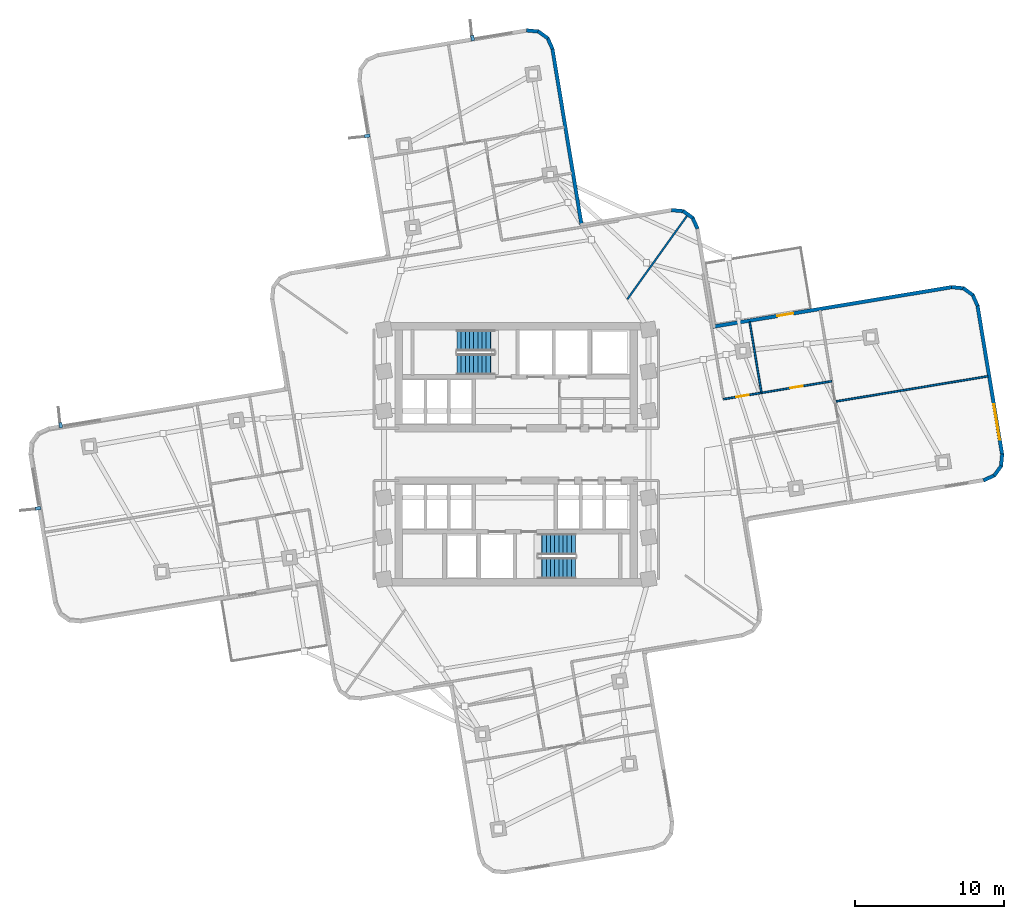
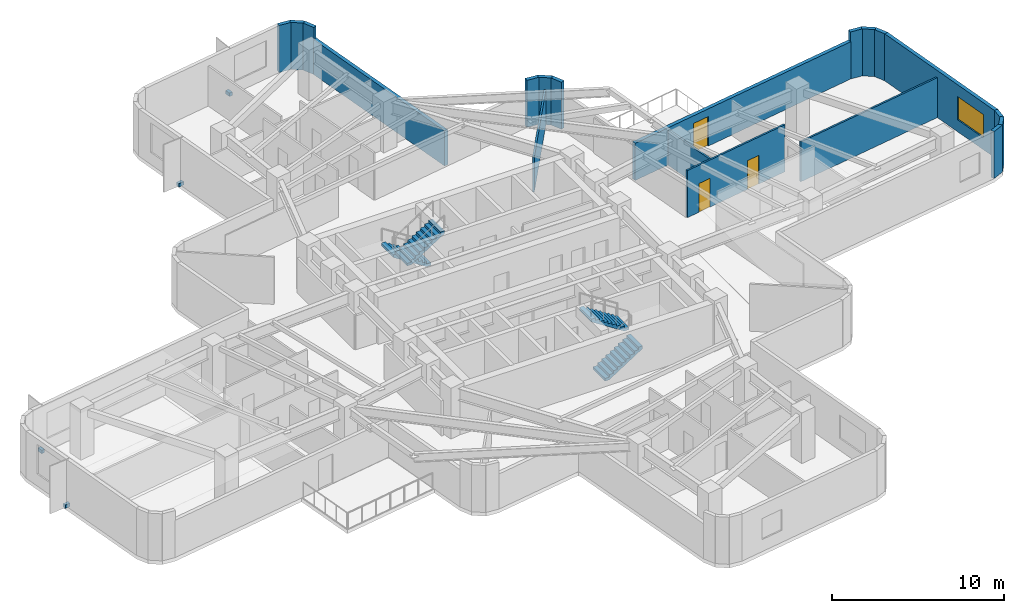
# One storey, part 6 of 9: 19 walls, 4 discrete accessories, 4 stair flights, 3 doors, 1 window, 4 openings, 2 elements without a shape of their own.
"""IFC4 building model written with IfcOpenShell, lengths in metres."""

from ifc_helpers import new_model, si_unit, direction, frame, frame_2d, origin, origin_2d, place, context, subcontext, project, spatial, polyline, rectangle, outline, extrude, material, layer, layer_set, type_object, element, fill, aggregate, save


model = new_model("IFC4")

# Units and contexts
model_context = context("Model", 3, precision=1e-05, world=origin(), true_north=direction((0.0, 1.0)))
body_context = subcontext(model_context, "Body", "Model", "MODEL_VIEW")
ifc_project = project(units=[si_unit("LENGTHUNIT", "METRE"), si_unit("AREAUNIT", "SQUARE_METRE"), si_unit("VOLUMEUNIT", "CUBIC_METRE"), si_unit("PLANEANGLEUNIT", "RADIAN"), si_unit("MASSUNIT", "GRAM", prefix="KILO")], contexts=[model_context])

# Site, building, storey
site_placement = place(None, origin())
site = spatial("IfcSite", under=ifc_project, at=site_placement, CompositionType="ELEMENT")
building_placement = place(site_placement, origin())
building = spatial("IfcBuilding", under=site, at=building_placement, Name="Solmarez Civic Tower", CompositionType="ELEMENT")
storey_placement = place(building_placement, frame((0.0, 0.0, 92.8798828125)))
storey = spatial("IfcBuildingStorey", under=building, at=storey_placement, Name="L24", CompositionType="ELEMENT", Elevation=92.8798828125)

# Walls
ifc_material_1 = material(Name="Precast concrete C40/50", Category="concrete")
ifc_layer_1 = layer(ifc_material_1, 0.239990234375)
ifc_layer_set_1 = layer_set([ifc_layer_1], Name="Precast concrete C40/50")
wall_type_1 = type_object("IfcWallType", Name="WALL-EXT-240", PredefinedType="SOLIDWALL", material=ifc_layer_set_1)
wall_1_placement = place(storey_placement, frame((0.674072265625, 28.376953125, 0.0), z_axis=(0.0, 0.0, 1.0), x_axis=(0.99537180181, -0.096098783346, 0.0)))
element("IfcWall", 1, at=wall_1_placement, inside=storey, type_object=wall_type_1, Name="L24 Exterior Precast Wall 25", PredefinedType="SOLIDWALL", context=body_context, shape_type="SweptSolid", body=[
    extrude(rectangle(XDim=0.830810546875, YDim=0.239990234375, at=frame_2d((0.41552734375, 0.0))), origin(), (0.0, 0.0, 1.0), 3.340087890625),
])
wall_2_placement = place(storey_placement, frame((1.4560546875, 28.31396484375, 0.0), z_axis=(0.0, 0.0, 1.0), x_axis=(0.812108665246, -0.583506226045, 0.0)))
element("IfcWall", 2, at=wall_2_placement, inside=storey, type_object=wall_type_1, Name="L24 Exterior Precast Wall 26", PredefinedType="SOLIDWALL", context=body_context, shape_type="SweptSolid", body=[
    extrude(rectangle(XDim=0.813720703125, YDim=0.239990234375, at=frame_2d((0.40673828125, 0.0))), origin(), (0.0, 0.0, 1.0), 3.340087890625),
])
wall_3_placement = place(storey_placement, frame((2.0869140625, 27.876953125, 0.0), z_axis=(0.0, 0.0, 1.0), x_axis=(0.412272558088, -0.91106055663, 0.0)))
element("IfcWall", 3, at=wall_3_placement, inside=storey, type_object=wall_type_1, Name="L24 Exterior Precast Wall 27", PredefinedType="SOLIDWALL", context=body_context, shape_type="SweptSolid", body=[
    extrude(rectangle(XDim=0.82958984375, YDim=0.239990234375, at=frame_2d((0.414794921875, 0.0))), origin(), (0.0, 0.0, 1.0), 3.340087890625),
])
wall_4_placement = place(storey_placement, frame((2.4150390625, 27.1689453125, 0.0), z_axis=(0.0, 0.0, 1.0), x_axis=(0.163307072567, -0.986575288587, 0.0)))
element("IfcWall", 4, at=wall_4_placement, inside=storey, type_object=wall_type_1, Name="L24 Exterior Precast Wall 28", PredefinedType="SOLIDWALL", context=body_context, shape_type="SweptSolid", body=[
    extrude(rectangle(XDim=12.074951171875, YDim=0.239990234375, at=frame_2d((6.03759765625, 0.0))), origin(), (0.0, 0.0, 1.0), 2.486083984375),
])
wall_5_placement = place(storey_placement, frame((10.37890625, 16.35107421875, 0.0), z_axis=(0.0, 0.0, 1.0), x_axis=(0.995335447313, -0.096474594184, 0.0)))
element("IfcWall", 5, at=wall_5_placement, inside=storey, type_object=wall_type_1, Name="L24 Exterior Precast Wall 32", PredefinedType="SOLIDWALL", context=body_context, shape_type="SweptSolid", body=[
    extrude(rectangle(XDim=0.830078125, YDim=0.239990234375, at=frame_2d((0.4150390625, 0.0))), origin(), (0.0, 0.0, 1.0), 3.340087890625),
])
wall_6_placement = place(storey_placement, frame((11.159912109375, 16.2880859375, 0.0), z_axis=(0.0, 0.0, 1.0), x_axis=(0.812068662375, -0.583561896965, 0.0)))
element("IfcWall", 6, at=wall_6_placement, inside=storey, type_object=wall_type_1, Name="L24 Exterior Precast Wall 33", PredefinedType="SOLIDWALL", context=body_context, shape_type="SweptSolid", body=[
    extrude(rectangle(XDim=0.814208984375, YDim=0.239990234375, at=frame_2d((0.4072265625, 0.0))), origin(), (0.0, 0.0, 1.0), 3.340087890625),
])
wall_7_placement = place(storey_placement, frame((11.791015625, 15.85107421875, 0.0), z_axis=(0.0, 0.0, 1.0), x_axis=(0.412696106872, -0.910868773958, 0.0)))
element("IfcWall", 7, at=wall_7_placement, inside=storey, type_object=wall_type_1, Name="L24 Exterior Precast Wall 34", PredefinedType="SOLIDWALL", context=body_context, shape_type="SweptSolid", body=[
    extrude(rectangle(XDim=0.8310546875, YDim=0.239990234375, at=frame_2d((0.41552734375, 0.0))), origin(), (0.0, 0.0, 1.0), 3.340087890625),
])

# Wall, opening, door
wall_8_placement = place(storey_placement, frame((13.114990234375, 8.537109375, 0.0), z_axis=(0.0, 0.0, 1.0), x_axis=(0.986576548161, 0.163299463007, 0.0)))
wall_8 = element("IfcWall", 8, at=wall_8_placement, inside=storey, type_object=wall_type_1, Name="L24 Exterior Precast Wall 38", PredefinedType="SOLIDWALL", context=body_context, shape_type="SweptSolid", body=[
    extrude(rectangle(XDim=16.276611328125, YDim=0.239990234375, at=frame_2d((8.13818359375, 0.0))), origin(), (0.0, 0.0, 1.0), 2.64404296875),
])
opening_1_placement = place(wall_8_placement, frame((4.39990234375, 0.0, 0.0)))
opening_1 = element("IfcOpeningElement", 9, at=opening_1_placement, cuts=wall_8, Name="Opening D-06", PredefinedType="OPENING", context=body_context, shape_type="SweptSolid", body=[
    extrude(rectangle(XDim=1.10009765625, YDim=2.10009765625, at=frame_2d((0.550048828125, 1.050048828125))), frame((0.0, 0.1298828125, 0.0), z_axis=(0.0, -1.0, 0.0), x_axis=(1.0, 0.0, 0.0)), (0.0, 0.0, 1.0), 0.260009765625),
])
ifc_material_2 = material(Name="Bronze Anodised Aluminium Glazed Terrace Door", Category="aluminium")
door_type_1 = type_object("IfcDoorType", Name="DOOR-TERR-1100", OperationType="NOTDEFINED", PredefinedType="DOOR", material=ifc_material_2)
door_1_placement = place(opening_1_placement, origin())
door_1 = element("IfcDoor", 10, at=door_1_placement, inside=storey, type_object=door_type_1, Name="L24 Outdoor Terrace Glazed Door", OperationType="SINGLE_SWING_RIGHT", OverallHeight=2.10009765625, OverallWidth=1.10009765625, PredefinedType="DOOR", context=body_context, shape_type="SweptSolid", body=[
    extrude(rectangle(XDim=1.10009765625, YDim=2.10009765625, at=frame_2d((0.550048828125, 1.050048828125))), frame((0.0, 0.02490234375, 0.0), z_axis=(0.0, -1.0, 0.0), x_axis=(1.0, 0.0, 0.0)), (0.0, 0.0, 1.0), 0.050048828125),
])
fill(opening_1, door_1)

# Walls
wall_9_placement = place(storey_placement, frame((29.123046875, 11.193115234375, 0.0), z_axis=(0.0, 0.0, 1.0), x_axis=(0.995332708541, -0.096502846113, 0.0)))
element("IfcWall", 11, at=wall_9_placement, inside=storey, type_object=wall_type_1, Name="L24 Exterior Precast Wall 39", PredefinedType="SOLIDWALL", context=body_context, shape_type="SweptSolid", body=[
    extrude(rectangle(XDim=0.829833984375, YDim=0.239990234375, at=frame_2d((0.4150390625, 0.0))), origin(), (0.0, 0.0, 1.0), 3.340087890625),
])
wall_10_placement = place(storey_placement, frame((29.904052734375, 11.1298828125, 0.0), z_axis=(0.0, 0.0, 1.0), x_axis=(0.812516648433, -0.582937986427, 0.0)))
element("IfcWall", 12, at=wall_10_placement, inside=storey, type_object=wall_type_1, Name="L24 Exterior Precast Wall 40", PredefinedType="SOLIDWALL", context=body_context, shape_type="SweptSolid", body=[
    extrude(rectangle(XDim=0.814697265625, YDim=0.239990234375, at=frame_2d((0.4072265625, 0.0))), origin(), (0.0, 0.0, 1.0), 3.340087890625),
])
wall_11_placement = place(storey_placement, frame((30.535888671875, 10.693115234375, 0.0), z_axis=(0.0, 0.0, 1.0), x_axis=(0.411720575173, -0.911310138196, 0.0)))
element("IfcWall", 13, at=wall_11_placement, inside=storey, type_object=wall_type_1, Name="L24 Exterior Precast Wall 41", PredefinedType="SOLIDWALL", context=body_context, shape_type="SweptSolid", body=[
    extrude(rectangle(XDim=0.830810546875, YDim=0.239990234375, at=frame_2d((0.41552734375, 0.0))), origin(), (0.0, 0.0, 1.0), 3.340087890625),
])

# Wall, opening, window
wall_12_placement = place(storey_placement, frame((30.864013671875, 9.98388671875, 0.0), z_axis=(0.0, 0.0, 1.0), x_axis=(0.163307635867, -0.986575195344, 0.0)))
wall_12 = element("IfcWall", 14, at=wall_12_placement, inside=storey, type_object=wall_type_1, Name="L24 Exterior Precast Wall 42", PredefinedType="SOLIDWALL", context=body_context, shape_type="SweptSolid", body=[
    extrude(rectangle(XDim=10.158447265625, YDim=0.239990234375, at=frame_2d((5.0791015625, 0.0))), origin(), (0.0, 0.0, 1.0), 3.340087890625),
])
opening_2_placement = place(wall_12_placement, frame((6.72412109375, 0.0, 0.85009765625)))
opening_2 = element("IfcOpeningElement", 15, at=opening_2_placement, cuts=wall_12, Name="Opening W-10", PredefinedType="OPENING", context=body_context, shape_type="SweptSolid", body=[
    extrude(rectangle(XDim=2.39990234375, YDim=1.64990234375, at=frame_2d((1.199951171875, 0.824951171875))), frame((0.0, 0.1298828125, 0.0), z_axis=(0.0, -1.0, 0.0), x_axis=(1.0, 0.0, 0.0)), (0.0, 0.0, 1.0), 0.260009765625),
])
ifc_material_3 = material(Name="Solar Control Bronze-Tinted Insulating Glass", Category="glass")
window_type = type_object("IfcWindowType", Name="WIN-2400X1650", PartitioningType="SINGLE_PANEL", PredefinedType="WINDOW", material=ifc_material_3)
window_placement = place(opening_2_placement, origin())
window = element("IfcWindow", 16, at=window_placement, inside=storey, type_object=window_type, Name="L24 Exterior Facade Window 42", OverallHeight=1.64990234375, OverallWidth=2.39990234375, PartitioningType="SINGLE_PANEL", PredefinedType="WINDOW", context=body_context, shape_type="SweptSolid", body=[
    extrude(rectangle(XDim=2.39990234375, YDim=1.64990234375, at=frame_2d((1.199951171875, 0.824951171875))), frame((0.0, 0.030029296875, 0.0), z_axis=(0.0, -1.0, 0.0), x_axis=(1.0, 0.0, 0.0)), (0.0, 0.0, 1.0), 0.06005859375),
])
fill(opening_2, window)

# Walls
wall_13_placement = place(storey_placement, frame((32.52099609375, 0.011962890625, 0.0), z_axis=(0.0, 0.0, 1.0), x_axis=(-0.096389937095, -0.995343649212, 0.0)))
element("IfcWall", 17, at=wall_13_placement, inside=storey, type_object=wall_type_1, Name="L24 Exterior Precast Wall 43", PredefinedType="SOLIDWALL", context=body_context, shape_type="SweptSolid", body=[
    extrude(rectangle(XDim=0.830810546875, YDim=0.239990234375, at=frame_2d((0.41552734375, 0.0))), origin(), (0.0, 0.0, 1.0), 3.340087890625),
])
wall_14_placement = place(storey_placement, frame((32.4580078125, -0.77001953125, 0.0), z_axis=(0.0, 0.0, 1.0), x_axis=(-0.583704032354, -0.811966503382, 0.0)))
element("IfcWall", 18, at=wall_14_placement, inside=storey, type_object=wall_type_1, Name="L24 Exterior Precast Wall 44", PredefinedType="SOLIDWALL", context=body_context, shape_type="SweptSolid", body=[
    extrude(rectangle(XDim=0.81396484375, YDim=0.239990234375, at=frame_2d((0.406982421875, 0.0))), origin(), (0.0, 0.0, 1.0), 3.340087890625),
])
wall_15_placement = place(storey_placement, frame((32.02099609375, -1.40087890625, 0.0), z_axis=(0.0, 0.0, 1.0), x_axis=(-0.911310138196, -0.411720575173, 0.0)))
element("IfcWall", 19, at=wall_15_placement, inside=storey, type_object=wall_type_1, Name="L24 Exterior Precast Wall 45", PredefinedType="SOLIDWALL", context=body_context, shape_type="SweptSolid", body=[
    extrude(rectangle(XDim=0.830810546875, YDim=0.239990234375, at=frame_2d((0.41552734375, 0.0))), origin(), (0.0, 0.0, 1.0), 3.340087890625),
])
ifc_material_4 = material(Name="Gypsum Board Acoustic Steel-Stud Partition", Category="steel")
ifc_layer_2 = layer(ifc_material_4, 0.1201171875)
ifc_layer_set_2 = layer_set([ifc_layer_2], Name="Gypsum Board Acoustic Steel-Stud Partition")
wall_type_2 = type_object("IfcWallType", Name="WALL-INT-PART-120", PredefinedType="PARTITIONING", material=ifc_layer_set_2)
wall_16_placement = place(storey_placement, frame((7.430908203125, 10.3798828125, 0.0), z_axis=(0.0, 0.0, 1.0), x_axis=(0.582126278944, 0.813098392178, 0.0)))
element("IfcWall", 20, at=wall_16_placement, inside=storey, type_object=wall_type_2, Name="L24 Interior Partition PT-L24-QDIV-1", PredefinedType="PARTITIONING", context=body_context, shape_type="SweptSolid", body=[
    extrude(rectangle(XDim=6.888671875, YDim=0.1201171875, at=frame_2d((3.4443359375, 0.0))), origin(), (0.0, 0.0, 1.0), 2.486083984375),
])
wall_17_placement = place(storey_placement, frame((16.405029296875, 4.135009765625, 0.0), z_axis=(0.0, 0.0, 1.0), x_axis=(-0.163276056047, 0.986580422227, 0.0)))
element("IfcWall", 21, at=wall_17_placement, inside=storey, type_object=wall_type_2, Name="L24 Interior Partition PT-L24-E-LM", PredefinedType="PARTITIONING", context=body_context, shape_type="SweptSolid", body=[
    extrude(rectangle(XDim=4.79541015625, YDim=0.1201171875, at=frame_2d((2.397705078125, 0.0))), origin(), (0.0, 0.0, 1.0), 2.486083984375),
])

# Wall, openings, doors
wall_18_placement = place(storey_placement, frame((21.114013671875, 4.89404296875, 0.0), z_axis=(0.0, 0.0, 1.0), x_axis=(-0.986566884893, -0.163357833093, 0.0)))
wall_18 = element("IfcWall", 22, at=wall_18_placement, inside=storey, type_object=wall_type_2, Name="L24 Interior Partition PT-L24-E-SL", PredefinedType="PARTITIONING", context=body_context, shape_type="SweptSolid", body=[
    extrude(rectangle(XDim=7.339599609375, YDim=0.1201171875, at=frame_2d((3.669921875, 0.0))), origin(), (0.0, 0.0, 1.0), 3.340087890625),
])
opening_3_placement = place(wall_18_placement, frame((5.625, 0.0, 0.0)))
opening_3 = element("IfcOpeningElement", 23, at=opening_3_placement, cuts=wall_18, Name="Opening D-14", PredefinedType="OPENING", context=body_context, shape_type="SweptSolid", body=[
    extrude(rectangle(XDim=0.860107421875, YDim=2.0400390625, at=frame_2d((0.43017578125, 1.02001953125))), frame((0.0, 0.070068359375, 0.0), z_axis=(0.0, -1.0, 0.0), x_axis=(1.0, 0.0, 0.0)), (0.0, 0.0, 1.0), 0.14013671875),
])
opening_4_placement = place(wall_18_placement, frame((1.955078125, 0.0, 0.0)))
opening_4 = element("IfcOpeningElement", 24, at=opening_4_placement, cuts=wall_18, Name="Opening D-14", PredefinedType="OPENING", context=body_context, shape_type="SweptSolid", body=[
    extrude(rectangle(XDim=0.860107421875, YDim=2.0400390625, at=frame_2d((0.43017578125, 1.02001953125))), frame((0.0, 0.070068359375, 0.0), z_axis=(0.0, -1.0, 0.0), x_axis=(1.0, 0.0, 0.0)), (0.0, 0.0, 1.0), 0.14013671875),
])
ifc_material_5 = material(Name="Timber Storage and Pantry Door", Category="wood")
door_type_2 = type_object("IfcDoorType", Name="DOOR-INT-850", OperationType="NOTDEFINED", PredefinedType="DOOR", material=ifc_material_5)
door_2_placement = place(opening_3_placement, origin())
door_2 = element("IfcDoor", 25, at=door_2_placement, inside=storey, type_object=door_type_2, Name="L24 Public Exhibition Library First East Door", OperationType="SINGLE_SWING_LEFT", OverallHeight=2.0400390625, OverallWidth=0.860107421875, PredefinedType="DOOR", context=body_context, shape_type="SweptSolid", body=[
    extrude(rectangle(XDim=0.860107421875, YDim=2.0400390625, at=frame_2d((0.43017578125, 1.02001953125))), frame((0.0, 0.02490234375, 0.0), z_axis=(0.0, -1.0, 0.0), x_axis=(1.0, 0.0, 0.0)), (0.0, 0.0, 1.0), 0.050048828125),
])
fill(opening_3, door_2)
door_3_placement = place(opening_4_placement, origin())
door_3 = element("IfcDoor", 26, at=door_3_placement, inside=storey, type_object=door_type_2, Name="L24 Civic Lecture Classroom Second East Door", OperationType="SINGLE_SWING_RIGHT", OverallHeight=2.0400390625, OverallWidth=0.860107421875, PredefinedType="DOOR", context=body_context, shape_type="SweptSolid", body=[
    extrude(rectangle(XDim=0.860107421875, YDim=2.0400390625, at=frame_2d((0.43017578125, 1.02001953125))), frame((0.0, 0.02490234375, 0.0), z_axis=(0.0, -1.0, 0.0), x_axis=(1.0, 0.0, 0.0)), (0.0, 0.0, 1.0), 0.050048828125),
])
fill(opening_4, door_3)

# Wall
wall_19_placement = place(storey_placement, frame((21.39892578125, 3.54296875, 0.0), z_axis=(0.0, 0.0, 1.0), x_axis=(0.986570089658, 0.16333847738, 0.0)))
element("IfcWall", 27, at=wall_19_placement, inside=storey, type_object=wall_type_2, Name="L24 Interior Partition PT-L24-E-TM", PredefinedType="PARTITIONING", context=body_context, shape_type="SweptSolid", body=[
    extrude(rectangle(XDim=10.304443359375, YDim=0.1201171875, at=frame_2d((5.15234375, 0.0))), origin(), (0.0, 0.0, 1.0), 2.83203125),
])

# Stair, stair flights
ifc_material_6 = material(Name="Concrete C50/60", Category="concrete")
stair_type = type_object("IfcStairType", Name="STAIR-DOGLEG-140W-20R-1800", PredefinedType="HALF_TURN_STAIR", material=ifc_material_6)
stair_1_placement = place(storey_placement, origin())
stair_1 = element("IfcStair", 28, at=stair_1_placement, inside=storey, type_object=stair_type, Name="L24 North Core Protected Exit Stair ST-1", PredefinedType="HALF_TURN_STAIR")
stair_flight_type = type_object("IfcStairFlightType", Name="FLIGHT-DOGLEG-140W-10R-1800", PredefinedType="STRAIGHT", material=ifc_material_6)
stair_flight_1_placement = place(storey_placement, frame((-1.449951171875, 7.6201171875, 0.0), z_axis=(0.0, 0.0, 1.0), x_axis=(-1.0, 0.0, 0.0)))
stair_flight_1 = element("IfcStairFlight", 29, at=stair_flight_1_placement, type_object=stair_flight_type, Name="ST-1 flight 1", NumberOfRisers=10, NumberOfTreads=9, PredefinedType="STRAIGHT", RiserHeight=0.18, TreadLength=0.28, context=body_context, shape_type="SweptSolid", body=[
    extrude(outline(polyline([(0.0, 0.0), (0.0, 0.179931640625), (0.280029296875, 0.179931640625), (0.280029296875, 0.360107421875), (0.56005859375, 0.360107421875), (0.56005859375, 0.5400390625), (0.840087890625, 0.5400390625), (0.840087890625, 0.719970703125), (1.1201171875, 0.719970703125), (1.1201171875, 0.89990234375), (1.39990234375, 0.89990234375), (1.39990234375, 1.080078125), (1.679931640625, 1.080078125), (1.679931640625, 1.260009765625), (1.9599609375, 1.260009765625), (1.9599609375, 1.43994140625), (2.239990234375, 1.43994140625), (2.239990234375, 1.6201171875), (2.52001953125, 1.6201171875), (2.52001953125, 1.800048828125), (2.52001953125, 1.429931640625), (0.295654296875, 0.0), (0.0, 0.0)])), frame((0.0, 0.699951171875, 0.0), z_axis=(0.0, -1.0, 0.0), x_axis=(1.0, 0.0, 0.0)), (0.0, 0.0, 1.0), 1.39990234375),
])
stair_flight_2_placement = place(storey_placement, frame((-3.969970703125, 6.02001953125, 1.800048828125), z_axis=(0.0, 0.0, 1.0), x_axis=(1.0, 0.0, 0.0)))
stair_flight_2 = element("IfcStairFlight", 30, at=stair_flight_2_placement, type_object=stair_flight_type, Name="ST-1 flight 2", NumberOfRisers=10, NumberOfTreads=9, PredefinedType="STRAIGHT", RiserHeight=0.18, TreadLength=0.28, context=body_context, shape_type="SweptSolid", body=[
    extrude(outline(polyline([(0.0, 0.0), (0.0, 0.179931640625), (0.280029296875, 0.179931640625), (0.280029296875, 0.360107421875), (0.56005859375, 0.360107421875), (0.56005859375, 0.5400390625), (0.840087890625, 0.5400390625), (0.840087890625, 0.719970703125), (1.1201171875, 0.719970703125), (1.1201171875, 0.89990234375), (1.39990234375, 0.89990234375), (1.39990234375, 1.080078125), (1.679931640625, 1.080078125), (1.679931640625, 1.260009765625), (1.9599609375, 1.260009765625), (1.9599609375, 1.43994140625), (2.239990234375, 1.43994140625), (2.239990234375, 1.6201171875), (2.52001953125, 1.6201171875), (2.52001953125, 1.800048828125), (2.52001953125, 1.429931640625), (0.295654296875, 0.0), (0.0, 0.0)])), frame((0.0, 0.699951171875, 0.0), z_axis=(0.0, -1.0, 0.0), x_axis=(1.0, 0.0, 0.0)), (0.0, 0.0, 1.0), 1.39990234375),
])
aggregate(stair_1, [stair_flight_1, stair_flight_2])

stair_2_placement = place(storey_placement, origin())
stair_2 = element("IfcStair", 31, at=stair_2_placement, inside=storey, type_object=stair_type, Name="L24 South Core Protected Exit Stair ST-2", PredefinedType="HALF_TURN_STAIR")
stair_flight_3_placement = place(storey_placement, frame((1.449951171875, -7.6201171875, 0.0), z_axis=(0.0, 0.0, 1.0), x_axis=(1.0, 0.0, 0.0)))
stair_flight_3 = element("IfcStairFlight", 32, at=stair_flight_3_placement, type_object=stair_flight_type, Name="ST-2 flight 1", NumberOfRisers=10, NumberOfTreads=9, PredefinedType="STRAIGHT", RiserHeight=0.18, TreadLength=0.28, context=body_context, shape_type="SweptSolid", body=[
    extrude(outline(polyline([(0.0, 0.0), (0.0, 0.179931640625), (0.280029296875, 0.179931640625), (0.280029296875, 0.360107421875), (0.56005859375, 0.360107421875), (0.56005859375, 0.5400390625), (0.840087890625, 0.5400390625), (0.840087890625, 0.719970703125), (1.1201171875, 0.719970703125), (1.1201171875, 0.89990234375), (1.39990234375, 0.89990234375), (1.39990234375, 1.080078125), (1.679931640625, 1.080078125), (1.679931640625, 1.260009765625), (1.9599609375, 1.260009765625), (1.9599609375, 1.43994140625), (2.239990234375, 1.43994140625), (2.239990234375, 1.6201171875), (2.52001953125, 1.6201171875), (2.52001953125, 1.800048828125), (2.52001953125, 1.429931640625), (0.295654296875, 0.0), (0.0, 0.0)])), frame((0.0, 0.699951171875, 0.0), z_axis=(0.0, -1.0, 0.0), x_axis=(1.0, 0.0, 0.0)), (0.0, 0.0, 1.0), 1.39990234375),
])
stair_flight_4_placement = place(storey_placement, frame((3.969970703125, -6.02001953125, 1.800048828125), z_axis=(0.0, 0.0, 1.0), x_axis=(-1.0, 0.0, 0.0)))
stair_flight_4 = element("IfcStairFlight", 33, at=stair_flight_4_placement, type_object=stair_flight_type, Name="ST-2 flight 2", NumberOfRisers=10, NumberOfTreads=9, PredefinedType="STRAIGHT", RiserHeight=0.18, TreadLength=0.28, context=body_context, shape_type="SweptSolid", body=[
    extrude(outline(polyline([(0.0, 0.0), (0.0, 0.179931640625), (0.280029296875, 0.179931640625), (0.280029296875, 0.360107421875), (0.56005859375, 0.360107421875), (0.56005859375, 0.5400390625), (0.840087890625, 0.5400390625), (0.840087890625, 0.719970703125), (1.1201171875, 0.719970703125), (1.1201171875, 0.89990234375), (1.39990234375, 0.89990234375), (1.39990234375, 1.080078125), (1.679931640625, 1.080078125), (1.679931640625, 1.260009765625), (1.9599609375, 1.260009765625), (1.9599609375, 1.43994140625), (2.239990234375, 1.43994140625), (2.239990234375, 1.6201171875), (2.52001953125, 1.6201171875), (2.52001953125, 1.800048828125), (2.52001953125, 1.429931640625), (0.295654296875, 0.0), (0.0, 0.0)])), frame((0.0, 0.699951171875, 0.0), z_axis=(0.0, -1.0, 0.0), x_axis=(1.0, 0.0, 0.0)), (0.0, 0.0, 1.0), 1.39990234375),
])
aggregate(stair_2, [stair_flight_3, stair_flight_4])

# Discrete accessories
ifc_material_7 = material(Name="Stainless Steel Grade 1.4401", Category="steel")
discrete_accessory_type = type_object("IfcDiscreteAccessoryType", Name="BRACKET-SS-FIN", PredefinedType="BRACKET", material=ifc_material_7)
for number, where, z_axis, x_axis, name in (
    (34, (-32.0, -3.610107421875, -0.06005859375), (0.0, 0.0, 1.0), (-0.986569832367, -0.163340031419, 0.0), "L24 Stainless Fin Support Bracket FIN-L24-01"),
    (35, (-30.486083984375, 1.947021484375, -0.06005859375), (0.0, 0.0, 1.0), (-0.16331465244, 0.986574033866, 0.0), "L24 Stainless Fin Support Bracket FIN-L24-02"),
    (36, (-9.97509765625, 21.31591796875, -0.06005859375), (0.0, 0.0, 1.0), (-0.986578685135, -0.163286551918, 0.0), "L24 Stainless Fin Support Bracket FIN-L24-03"),
    (37, (-2.924072265625, 27.85595703125, -0.06005859375), (0.0, 0.0, 1.0), (-0.163340031419, 0.986569832367, 0.0), "L24 Stainless Fin Support Bracket FIN-L24-04"),
):
    element("IfcDiscreteAccessory", number, at=place(storey_placement, frame(where, z_axis=z_axis, x_axis=x_axis)), inside=storey, type_object=discrete_accessory_type, Name=name, PredefinedType="BRACKET", context=body_context, shape_type="SweptSolid", body=[
        extrude(rectangle(XDim=0.360107421875, YDim=0.219970703125, at=origin_2d()), origin(), (0.0, 0.0, 1.0), 0.239990234375),
    ])

save(model, "model.ifc")
